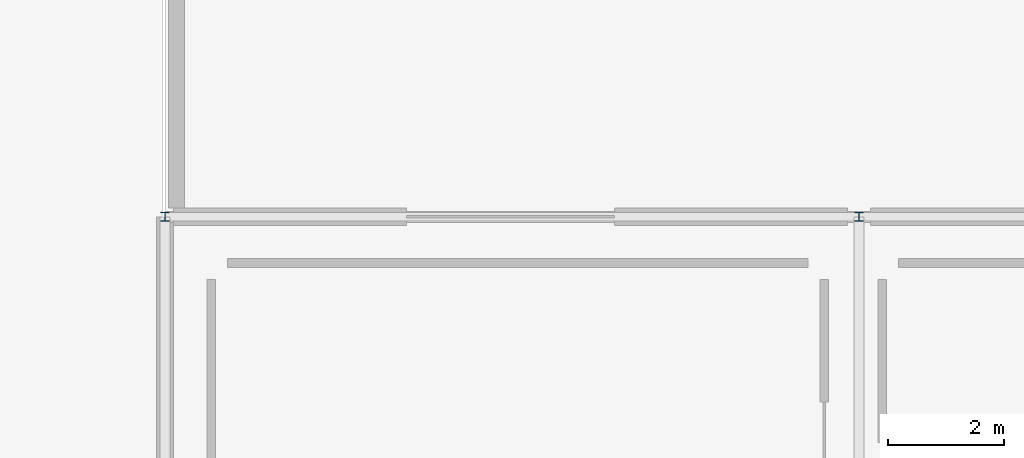
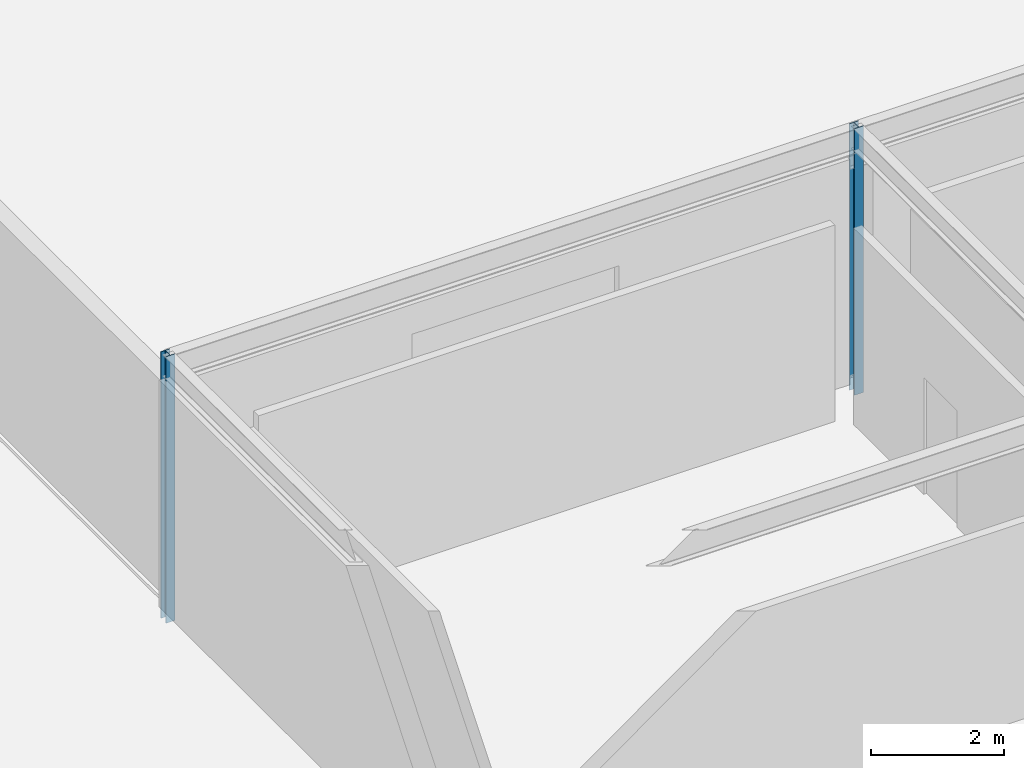
# One storey, part 32 of 119: 2 columns.
"""IFC4 building model written with IfcOpenShell, lengths in metres."""

from ifc_helpers import new_model, si_unit, derived_unit, direction, frame, origin, origin_2d_with_axis, place, context, subcontext, project, spatial, i_section, extrude, material, material_profile, profile_set, type_object, element, save


model = new_model("IFC4")

# Units and contexts
model_context = context("Model", 3, precision=1e-05, world=origin(), true_north=direction((0.0, 1.0)))
body_context = subcontext(model_context, "Body", "Model", "MODEL_VIEW")
ifc_project = project(units=[si_unit("LENGTHUNIT", "METRE"), si_unit("AREAUNIT", "SQUARE_METRE"), si_unit("VOLUMEUNIT", "CUBIC_METRE"), si_unit("PLANEANGLEUNIT", "RADIAN"), si_unit("MASSUNIT", "GRAM", prefix="KILO"), derived_unit("THERMALTRANSMITTANCEUNIT", [(si_unit("POWERUNIT", "WATT"), 1), (si_unit("LENGTHUNIT", "METRE"), -2), (si_unit("THERMODYNAMICTEMPERATUREUNIT", "KELVIN"), -1)])], contexts=[model_context])

# Site, building, storey
site_placement = place(None, origin())
site = spatial("IfcSite", under=ifc_project, at=site_placement, CompositionType="ELEMENT")
building_placement = place(site_placement, origin())
building = spatial("IfcBuilding", under=site, at=building_placement, Name="Cinnabar Yard Market Hall", CompositionType="ELEMENT")
storey_placement = place(building_placement, origin())
storey = spatial("IfcBuildingStorey", under=building, at=storey_placement, Name="L00", CompositionType="ELEMENT", Elevation=0.0)

# Columns
ifc_material = material(Name="Steel Grade 300 (300 MPa)", Category="steel")
ifc_material_profile = material_profile(ifc_material, i_section(OverallWidth=0.154296875, OverallDepth=0.161865234375, WebThickness=0.008056640625, FlangeThickness=0.011474609375, FilletRadius=0.0087890625, at=origin_2d_with_axis()), Name="150UC37.2")
ifc_profile_set = profile_set([ifc_material_profile], Name="Steel Grade 300 (300 MPa)")
column_type = type_object("IfcColumnType", Name="COL-C14E", PredefinedType="COLUMN", material=ifc_profile_set)
for number, where, z_axis, x_axis, name in (
    (1, (178.0, 42.0, -0.280029296875), (0.0, 0.0, 1.0), (1.0, 0.0, 0.0), "Dock Column V4-01-04 L00"),
    (2, (190.0, 42.0, -0.280029296875), (0.0, 0.0, 1.0), (1.0, 0.0, 0.0), "Dock Column V4-02-04 L00"),
):
    element("IfcColumn", number, at=place(storey_placement, frame(where, z_axis=z_axis, x_axis=x_axis)), inside=storey, type_object=column_type, Name=name, PredefinedType="COLUMN", context=body_context, shape_type="SweptSolid", body=[
        extrude(i_section(OverallWidth=0.154296875, OverallDepth=0.161865234375, WebThickness=0.008056640625, FlangeThickness=0.011474609375, FilletRadius=0.0087890625, at=origin_2d_with_axis()), origin(), (0.0, 0.0, 1.0), 4.909912109375),
    ])

save(model, "model.ifc")
